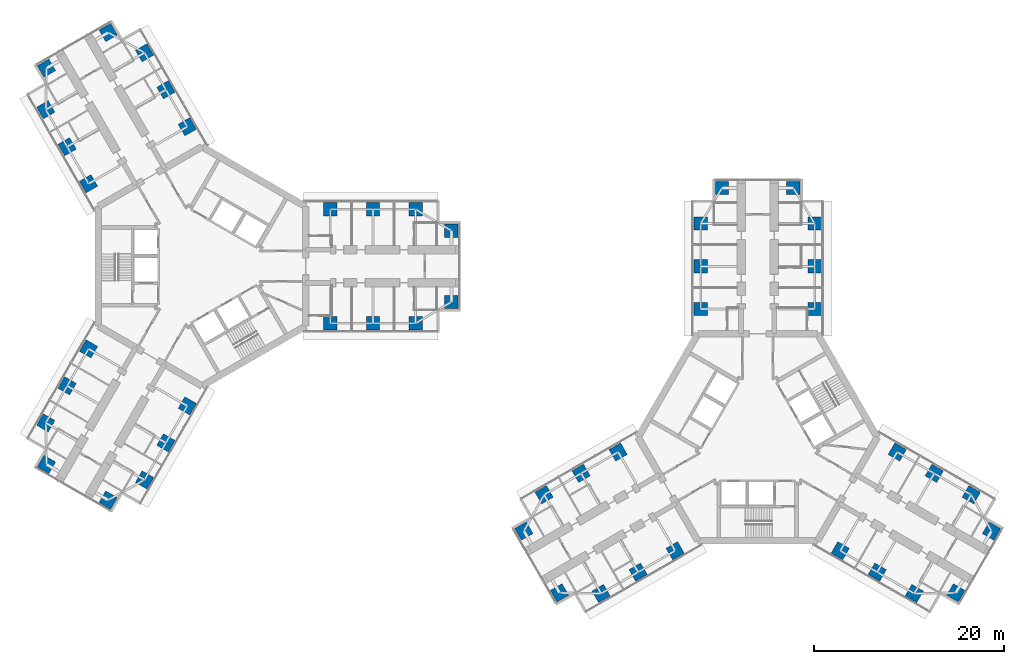
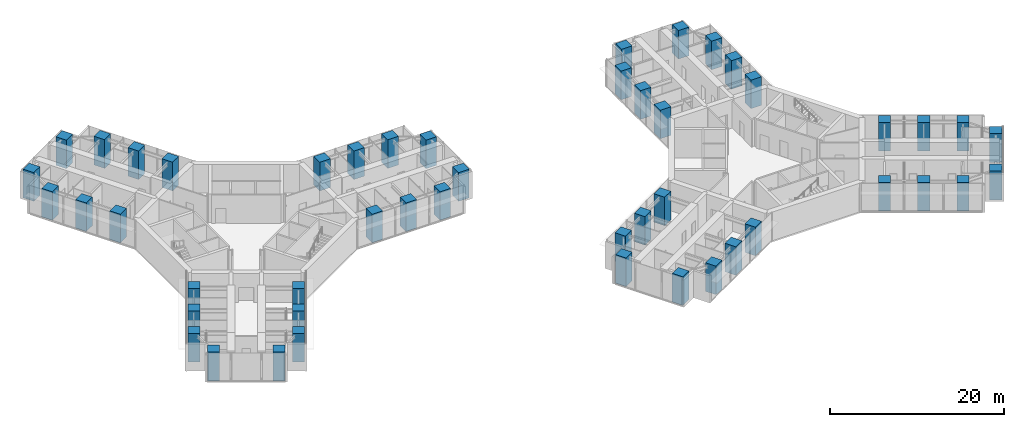
# One storey, part 1 of 25: 48 columns.
"""IFC4 building model written with IfcOpenShell, lengths in metres."""

from ifc_helpers import new_model, si_unit, direction, frame, origin, origin_2d, place, context, subcontext, project, spatial, rectangle, extrude, material, material_profile, profile_set, type_object, element, save


model = new_model("IFC4")

# Units and contexts
model_context = context("Model", 3, precision=1e-05, world=origin(), true_north=direction((0.0, 1.0)))
body_context = subcontext(model_context, "Body", "Model", "MODEL_VIEW")
ifc_project = project(units=[si_unit("LENGTHUNIT", "METRE"), si_unit("AREAUNIT", "SQUARE_METRE"), si_unit("VOLUMEUNIT", "CUBIC_METRE"), si_unit("PLANEANGLEUNIT", "RADIAN"), si_unit("MASSUNIT", "GRAM", prefix="KILO")], contexts=[model_context])

# Site, building, storey
site_placement = place(None, origin())
site = spatial("IfcSite", under=ifc_project, at=site_placement, CompositionType="ELEMENT")
building_placement = place(site_placement, origin())
building = spatial("IfcBuilding", under=site, at=building_placement, Name="Upepo Twin Towers", CompositionType="ELEMENT")
storey_placement = place(building_placement, frame((0.0, 0.0, 72.5)))
storey = spatial("IfcBuildingStorey", under=building, at=storey_placement, Name="L17", CompositionType="ELEMENT", Elevation=72.5)

# Columns
ifc_material = material(Name="Concrete C60/75", Category="concrete")
ifc_material_profile = material_profile(ifc_material, rectangle(XDim=1.39990234375, YDim=1.39990234375, at=origin_2d()), Name="RC 1400x1400")
ifc_profile_set = profile_set([ifc_material_profile], Name="Concrete C60/75")
column_type = type_object("IfcColumnType", Name="Tower column RC 1400x1400", PredefinedType="COLUMN", material=ifc_profile_set)
for number, where, z_axis, x_axis, name in (
    (1, (13.5, 6.0, 0.0), (0.0, 0.0, 1.0), (1.0, 0.0, 0.0), "T1 column AL135"),
    (2, (13.5, -6.0, 0.0), (0.0, 0.0, 1.0), (1.0, 0.0, 0.0), "T1 column AR135"),
    (3, (18.0, 6.0, 0.0), (0.0, 0.0, 1.0), (1.0, 0.0, 0.0), "T1 column AL180"),
    (4, (18.0, -6.0, 0.0), (0.0, 0.0, 1.0), (1.0, 0.0, 0.0), "T1 column AR180"),
    (5, (22.5, 6.0, 0.0), (0.0, 0.0, 1.0), (1.0, 0.0, 0.0), "T1 column AL225"),
    (6, (22.5, -6.0, 0.0), (0.0, 0.0, 1.0), (1.0, 0.0, 0.0), "T1 column AR225"),
    (7, (26.25, 3.75, 0.0), (0.0, 0.0, 1.0), (1.0, 0.0, 0.0), "T1 column ALN"),
    (8, (26.25, -3.75, 0.0), (0.0, 0.0, 1.0), (1.0, 0.0, 0.0), "T1 column ARN"),
    (9, (-11.946044921875, 8.69140625, 0.0), (0.0, 0.0, 1.0), (0.866025403784, 0.5, 0.0), "T1 column BL135"),
    (10, (-1.553955078125, 14.69140625, 0.0), (0.0, 0.0, 1.0), (0.866025403784, 0.5, 0.0), "T1 column BR135"),
    (11, (-14.196044921875, 12.58837890625, 0.0), (0.0, 0.0, 1.0), (0.866025403784, 0.5, 0.0), "T1 column BL180"),
    (12, (-3.803955078125, 18.58837890625, 0.0), (0.0, 0.0, 1.0), (0.866025403784, 0.5, 0.0), "T1 column BR180"),
    (13, (-16.446044921875, 16.485595703125, 0.0), (0.0, 0.0, 1.0), (0.866025403784, 0.5, 0.0), "T1 column BL225"),
    (14, (-6.053955078125, 22.485595703125, 0.0), (0.0, 0.0, 1.0), (0.866025403784, 0.5, 0.0), "T1 column BR225"),
    (15, (-16.37255859375, 20.858154296875, 0.0), (0.0, 0.0, 1.0), (0.866025403784, 0.5, 0.0), "T1 column BLN"),
    (16, (-9.87744140625, 24.608154296875, 0.0), (0.0, 0.0, 1.0), (0.866025403784, 0.5, 0.0), "T1 column BRN"),
    (17, (-1.553955078125, -14.69140625, 0.0), (0.0, 0.0, 1.0), (0.5, 0.866025403784, 0.0), "T1 column CL135"),
    (18, (-11.946044921875, -8.69140625, 0.0), (0.0, 0.0, 1.0), (0.5, 0.866025403784, 0.0), "T1 column CR135"),
    (19, (-3.803955078125, -18.58837890625, 0.0), (0.0, 0.0, 1.0), (0.5, 0.866025403784, 0.0), "T1 column CL180"),
    (20, (-14.196044921875, -12.58837890625, 0.0), (0.0, 0.0, 1.0), (0.5, 0.866025403784, 0.0), "T1 column CR180"),
    (21, (-6.053955078125, -22.485595703125, 0.0), (0.0, 0.0, 1.0), (0.5, 0.866025403784, 0.0), "T1 column CL225"),
    (22, (-16.446044921875, -16.485595703125, 0.0), (0.0, 0.0, 1.0), (0.5, 0.866025403784, 0.0), "T1 column CR225"),
    (23, (-9.87744140625, -24.608154296875, 0.0), (0.0, 0.0, 1.0), (0.5, 0.866025403784, 0.0), "T1 column CLN"),
    (24, (-16.37255859375, -20.858154296875, 0.0), (0.0, 0.0, 1.0), (0.5, 0.866025403784, 0.0), "T1 column CRN"),
    (25, (52.5, -4.5, 0.0), (0.0, 0.0, 1.0), (1.0, 0.0, 0.0), "T2 column AL135"),
    (26, (64.5, -4.5, 0.0), (0.0, 0.0, 1.0), (1.0, 0.0, 0.0), "T2 column AR135"),
    (27, (52.5, 0.0, 0.0), (0.0, 0.0, 1.0), (1.0, 0.0, 0.0), "T2 column AL180"),
    (28, (64.5, 0.0, 0.0), (0.0, 0.0, 1.0), (1.0, 0.0, 0.0), "T2 column AR180"),
    (29, (52.5, 4.5, 0.0), (0.0, 0.0, 1.0), (1.0, 0.0, 0.0), "T2 column AL225"),
    (30, (64.5, 4.5, 0.0), (0.0, 0.0, 1.0), (1.0, 0.0, 0.0), "T2 column AR225"),
    (31, (54.75, 8.25, 0.0), (0.0, 0.0, 1.0), (1.0, 0.0, 0.0), "T2 column ALN"),
    (32, (62.25, 8.25, 0.0), (0.0, 0.0, 1.0), (1.0, 0.0, 0.0), "T2 column ARN"),
    (33, (49.80859375, -29.946044921875, 0.0), (0.0, 0.0, 1.0), (0.866025403784, 0.5, 0.0), "T2 column BL135"),
    (34, (43.80859375, -19.553955078125, 0.0), (0.0, 0.0, 1.0), (0.866025403784, 0.5, 0.0), "T2 column BR135"),
    (35, (45.91162109375, -32.196044921875, 0.0), (0.0, 0.0, 1.0), (0.866025403784, 0.5, 0.0), "T2 column BL180"),
    (36, (39.91162109375, -21.803955078125, 0.0), (0.0, 0.0, 1.0), (0.866025403784, 0.5, 0.0), "T2 column BR180"),
    (37, (42.014404296875, -34.446044921875, 0.0), (0.0, 0.0, 1.0), (0.866025403784, 0.5, 0.0), "T2 column BL225"),
    (38, (36.014404296875, -24.053955078125, 0.0), (0.0, 0.0, 1.0), (0.866025403784, 0.5, 0.0), "T2 column BR225"),
    (39, (37.641845703125, -34.37255859375, 0.0), (0.0, 0.0, 1.0), (0.866025403784, 0.5, 0.0), "T2 column BLN"),
    (40, (33.891845703125, -27.87744140625, 0.0), (0.0, 0.0, 1.0), (0.866025403784, 0.5, 0.0), "T2 column BRN"),
    (41, (73.19140625, -19.553955078125, 0.0), (0.0, 0.0, 1.0), (0.5, 0.866025403784, 0.0), "T2 column CL135"),
    (42, (67.19140625, -29.946044921875, 0.0), (0.0, 0.0, 1.0), (0.5, 0.866025403784, 0.0), "T2 column CR135"),
    (43, (77.08837890625, -21.803955078125, 0.0), (0.0, 0.0, 1.0), (0.5, 0.866025403784, 0.0), "T2 column CL180"),
    (44, (71.08837890625, -32.196044921875, 0.0), (0.0, 0.0, 1.0), (0.5, 0.866025403784, 0.0), "T2 column CR180"),
    (45, (80.985595703125, -24.053955078125, 0.0), (0.0, 0.0, 1.0), (0.5, 0.866025403784, 0.0), "T2 column CL225"),
    (46, (74.985595703125, -34.446044921875, 0.0), (0.0, 0.0, 1.0), (0.5, 0.866025403784, 0.0), "T2 column CR225"),
    (47, (83.108154296875, -27.87744140625, 0.0), (0.0, 0.0, 1.0), (0.5, 0.866025403784, 0.0), "T2 column CLN"),
    (48, (79.358154296875, -34.37255859375, 0.0), (0.0, 0.0, 1.0), (0.5, 0.866025403784, 0.0), "T2 column CRN"),
):
    element("IfcColumn", number, at=place(storey_placement, frame(where, z_axis=z_axis, x_axis=x_axis)), inside=storey, type_object=column_type, Name=name, PredefinedType="COLUMN", context=body_context, shape_type="SweptSolid", body=[
        extrude(rectangle(XDim=1.39990234375, YDim=1.39990234375, at=origin_2d()), origin(), (0.0, 0.0, 1.0), 4.0),
    ])

save(model, "model.ifc")
